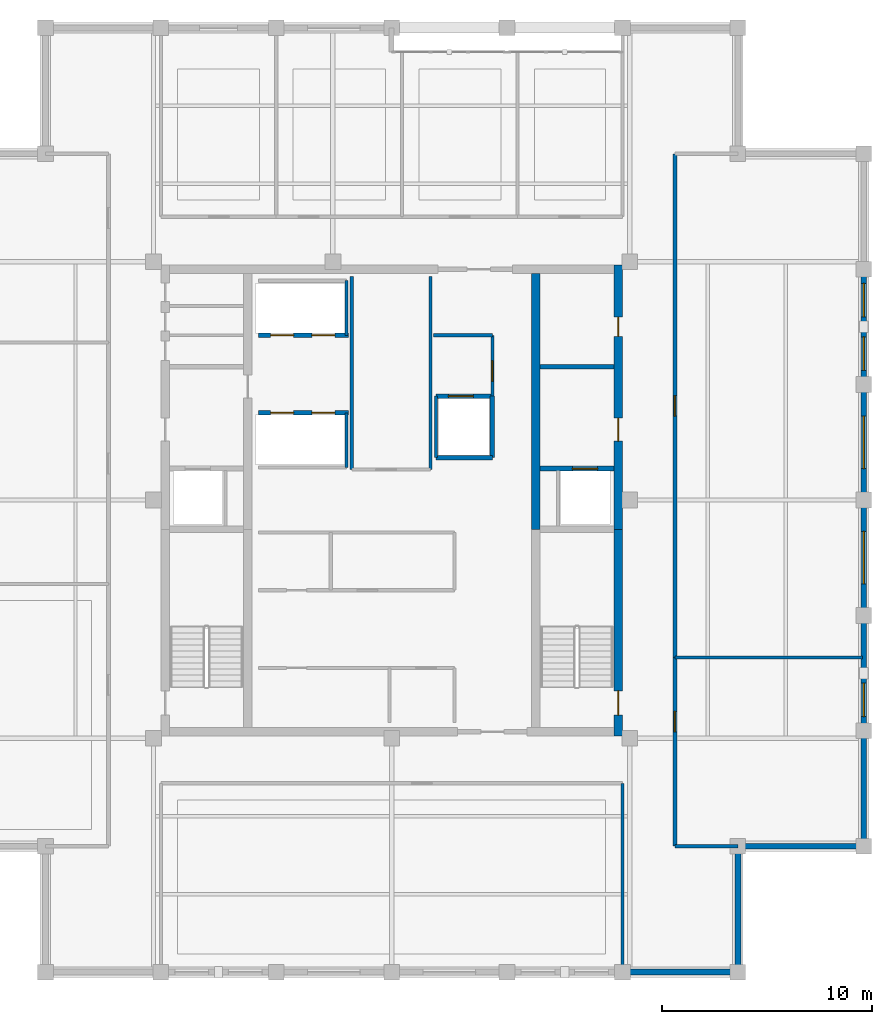
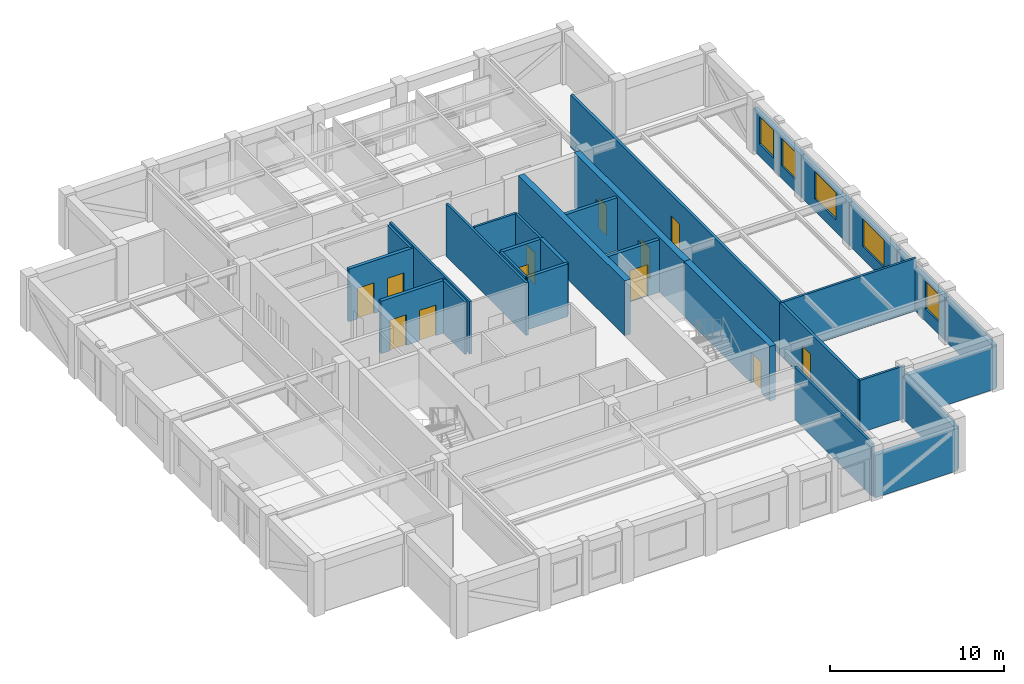
# One storey, part 5 of 9: 30 walls, 12 doors, 5 windows, 17 openings.
"""IFC4 building model written with IfcOpenShell, lengths in metres."""

from ifc_helpers import new_model, si_unit, direction, frame, frame_2d, origin, place, context, subcontext, project, spatial, rectangle, extrude, material, layer, layer_set, type_object, element, fill, save


model = new_model("IFC4")

# Units and contexts
model_context = context("Model", 3, precision=1e-05, world=origin(), true_north=direction((0.0, 1.0)))
body_context = subcontext(model_context, "Body", "Model", "MODEL_VIEW")
ifc_project = project(units=[si_unit("LENGTHUNIT", "METRE"), si_unit("AREAUNIT", "SQUARE_METRE"), si_unit("VOLUMEUNIT", "CUBIC_METRE"), si_unit("PLANEANGLEUNIT", "RADIAN"), si_unit("MASSUNIT", "GRAM", prefix="KILO")], contexts=[model_context])

# Site, building, storey
site_placement = place(None, origin())
site = spatial("IfcSite", under=ifc_project, at=site_placement, CompositionType="ELEMENT")
building_placement = place(site_placement, origin())
building = spatial("IfcBuilding", under=site, at=building_placement, Name="Nhamokura Convention Tower", CompositionType="ELEMENT")
storey_placement = place(building_placement, frame((0.0, 0.0, 273.699951171875)))
storey = spatial("IfcBuildingStorey", under=building, at=storey_placement, Name="L67", CompositionType="ELEMENT", Elevation=273.699951171875)

# Walls
ifc_material_1 = material(Name="Bronze-pigmented precast concrete C45/55", Category="concrete")
ifc_layer_1 = layer(ifc_material_1, 0.280029296875)
ifc_layer_set_1 = layer_set([ifc_layer_1], Name="BronzePrecastSpandrel_280")
wall_type_1 = type_object("IfcWallType", Name="BronzePrecastSpandrel_280", PredefinedType="USERDEFINED", material=ifc_layer_set_1)
for number, where, z_axis, x_axis, name in (
    (1, (48.5, 9.5, 0.0), (0.0, 0.0, 1.0), (-1.0, 0.0, 0.0), "L67 Braced-Bay Precast Wall SOUTH 5"),
    (2, (54.5, 21.0, 0.0), (0.0, 0.0, 1.0), (0.0, -1.0, 0.0), "L67 Braced-Bay Precast Wall EAST 0"),
):
    element("IfcWall", number, at=place(storey_placement, frame(where, z_axis=z_axis, x_axis=x_axis)), inside=storey, type_object=wall_type_1, Name=name, ObjectType="SPANDREL_WALL", PredefinedType="USERDEFINED", context=body_context, shape_type="SweptSolid", body=[
        extrude(rectangle(XDim=5.5, YDim=0.280029296875, at=frame_2d((2.75, 0.0))), origin(), (0.0, 0.0, 1.0), 2.985107421875),
    ])

# Wall, opening, window
wall_1_placement = place(storey_placement, frame((54.5, 26.5, 0.0), z_axis=(0.0, 0.0, 1.0), x_axis=(0.0, -1.0, 0.0)))
wall_1 = element("IfcWall", 3, at=wall_1_placement, inside=storey, type_object=wall_type_1, Name="L67 Masonry-Frame Wall EAST 1", ObjectType="SPANDREL_WALL", PredefinedType="USERDEFINED", context=body_context, shape_type="SweptSolid", body=[
    extrude(rectangle(XDim=5.5, YDim=0.280029296875, at=frame_2d((2.75, 0.0))), origin(), (0.0, 0.0, 1.0), 2.985107421875),
])
opening_1_placement = place(wall_1_placement, frame((3.22509765625, 0.0, 0.85009765625)))
opening_1 = element("IfcOpeningElement", 4, at=opening_1_placement, cuts=wall_1, Name="Opening W-11", PredefinedType="OPENING", context=body_context, shape_type="SweptSolid", body=[
    extrude(rectangle(XDim=1.60009765625, YDim=1.93505859375, at=frame_2d((0.800048828125, 0.967529296875))), frame((0.0, 0.14990234375, 0.0), z_axis=(0.0, -1.0, 0.0), x_axis=(1.0, 0.0, 0.0)), (0.0, 0.0, 1.0), 0.300048828125),
])
ifc_material_2 = material(Name="Solar-control bronze low-E double glass", Category="glass")
window_type_1 = type_object("IfcWindowType", Name="NotchCornerWindow_1600", PartitioningType="SINGLE_PANEL", PredefinedType="WINDOW", material=ifc_material_2)
window_1_placement = place(opening_1_placement, origin())
window_1 = element("IfcWindow", 5, at=window_1_placement, inside=storey, type_object=window_type_1, Name="L67 Facade Window EAST 1-2", OverallHeight=1.93505859375, OverallWidth=1.60009765625, PartitioningType="SINGLE_PANEL", PredefinedType="WINDOW", context=body_context, shape_type="SweptSolid", body=[
    extrude(rectangle(XDim=1.60009765625, YDim=1.93505859375, at=frame_2d((0.800048828125, 0.967529296875))), frame((0.0, 0.030029296875, 0.0), z_axis=(0.0, -1.0, 0.0), x_axis=(1.0, 0.0, 0.0)), (0.0, 0.0, 1.0), 0.06005859375),
])
fill(opening_1, window_1)

wall_2_placement = place(storey_placement, frame((54.5, 32.0, 0.0), z_axis=(0.0, 0.0, 1.0), x_axis=(0.0, -1.0, 0.0)))
wall_2 = element("IfcWall", 6, at=wall_2_placement, inside=storey, type_object=wall_type_1, Name="L67 Masonry-Frame Wall EAST 2", ObjectType="SPANDREL_WALL", PredefinedType="USERDEFINED", context=body_context, shape_type="SweptSolid", body=[
    extrude(rectangle(XDim=5.5, YDim=0.280029296875, at=frame_2d((2.75, 0.0))), origin(), (0.0, 0.0, 1.0), 2.985107421875),
])
opening_2_placement = place(wall_2_placement, frame((1.5, 0.0, 0.85009765625)))
opening_2 = element("IfcOpeningElement", 7, at=opening_2_placement, cuts=wall_2, Name="Opening W-09", PredefinedType="OPENING", context=body_context, shape_type="SweptSolid", body=[
    extrude(rectangle(XDim=2.5, YDim=1.93505859375, at=frame_2d((1.25, 0.967529296875))), frame((0.0, 0.14990234375, 0.0), z_axis=(0.0, -1.0, 0.0), x_axis=(1.0, 0.0, 0.0)), (0.0, 0.0, 1.0), 0.300048828125),
])
ifc_material_3 = material(Name="Solar-control bronze low-E double glass", Category="glass")
window_type_2 = type_object("IfcWindowType", Name="SummitWindow_Z4_2500", PartitioningType="DOUBLE_PANEL_VERTICAL", PredefinedType="WINDOW", material=ifc_material_3)
window_2_placement = place(opening_2_placement, origin())
window_2 = element("IfcWindow", 8, at=window_2_placement, inside=storey, type_object=window_type_2, Name="L67 Facade Window EAST 2", OverallHeight=1.93505859375, OverallWidth=2.5, PartitioningType="SINGLE_PANEL", PredefinedType="WINDOW", context=body_context, shape_type="SweptSolid", body=[
    extrude(rectangle(XDim=2.5, YDim=1.93505859375, at=frame_2d((1.25, 0.967529296875))), frame((0.0, 0.030029296875, 0.0), z_axis=(0.0, -1.0, 0.0), x_axis=(1.0, 0.0, 0.0)), (0.0, 0.0, 1.0), 0.06005859375),
])
fill(opening_2, window_2)

wall_3_placement = place(storey_placement, frame((54.5, 37.5, 0.0), z_axis=(0.0, 0.0, 1.0), x_axis=(0.0, -1.0, 0.0)))
wall_3 = element("IfcWall", 9, at=wall_3_placement, inside=storey, type_object=wall_type_1, Name="L67 Masonry-Frame Wall EAST 3", ObjectType="SPANDREL_WALL", PredefinedType="USERDEFINED", context=body_context, shape_type="SweptSolid", body=[
    extrude(rectangle(XDim=5.5, YDim=0.280029296875, at=frame_2d((2.75, 0.0))), origin(), (0.0, 0.0, 1.0), 2.985107421875),
])
opening_3_placement = place(wall_3_placement, frame((1.5, 0.0, 0.85009765625)))
opening_3 = element("IfcOpeningElement", 10, at=opening_3_placement, cuts=wall_3, Name="Opening W-09", PredefinedType="OPENING", context=body_context, shape_type="SweptSolid", body=[
    extrude(rectangle(XDim=2.5, YDim=1.93505859375, at=frame_2d((1.25, 0.967529296875))), frame((0.0, 0.14990234375, 0.0), z_axis=(0.0, -1.0, 0.0), x_axis=(1.0, 0.0, 0.0)), (0.0, 0.0, 1.0), 0.300048828125),
])
window_3_placement = place(opening_3_placement, origin())
window_3 = element("IfcWindow", 11, at=window_3_placement, inside=storey, type_object=window_type_2, Name="L67 Facade Window EAST 3", OverallHeight=1.93505859375, OverallWidth=2.5, PartitioningType="SINGLE_PANEL", PredefinedType="WINDOW", context=body_context, shape_type="SweptSolid", body=[
    extrude(rectangle(XDim=2.5, YDim=1.93505859375, at=frame_2d((1.25, 0.967529296875))), frame((0.0, 0.030029296875, 0.0), z_axis=(0.0, -1.0, 0.0), x_axis=(1.0, 0.0, 0.0)), (0.0, 0.0, 1.0), 0.06005859375),
])
fill(opening_3, window_3)

# Wall, openings, windows
wall_4_placement = place(storey_placement, frame((54.5, 43.0, 0.0), z_axis=(0.0, 0.0, 1.0), x_axis=(0.0, -1.0, 0.0)))
wall_4 = element("IfcWall", 12, at=wall_4_placement, inside=storey, type_object=wall_type_1, Name="L67 Masonry-Frame Wall EAST 4", ObjectType="SPANDREL_WALL", PredefinedType="USERDEFINED", context=body_context, shape_type="SweptSolid", body=[
    extrude(rectangle(XDim=5.5, YDim=0.280029296875, at=frame_2d((2.75, 0.0))), origin(), (0.0, 0.0, 1.0), 2.985107421875),
])
opening_4_placement = place(wall_4_placement, frame((0.675048828125, 0.0, 0.85009765625)))
opening_4 = element("IfcOpeningElement", 13, at=opening_4_placement, cuts=wall_4, Name="Opening W-11", PredefinedType="OPENING", context=body_context, shape_type="SweptSolid", body=[
    extrude(rectangle(XDim=1.60009765625, YDim=1.93505859375, at=frame_2d((0.800048828125, 0.967529296875))), frame((0.0, 0.14990234375, 0.0), z_axis=(0.0, -1.0, 0.0), x_axis=(1.0, 0.0, 0.0)), (0.0, 0.0, 1.0), 0.300048828125),
])
opening_5_placement = place(wall_4_placement, frame((3.22509765625, 0.0, 0.85009765625)))
opening_5 = element("IfcOpeningElement", 14, at=opening_5_placement, cuts=wall_4, Name="Opening W-11", PredefinedType="OPENING", context=body_context, shape_type="SweptSolid", body=[
    extrude(rectangle(XDim=1.60009765625, YDim=1.93505859375, at=frame_2d((0.800048828125, 0.967529296875))), frame((0.0, 0.14990234375, 0.0), z_axis=(0.0, -1.0, 0.0), x_axis=(1.0, 0.0, 0.0)), (0.0, 0.0, 1.0), 0.300048828125),
])
window_4_placement = place(opening_4_placement, origin())
window_4 = element("IfcWindow", 15, at=window_4_placement, inside=storey, type_object=window_type_1, Name="L67 Facade Window EAST 4-1", OverallHeight=1.93505859375, OverallWidth=1.60009765625, PartitioningType="SINGLE_PANEL", PredefinedType="WINDOW", context=body_context, shape_type="SweptSolid", body=[
    extrude(rectangle(XDim=1.60009765625, YDim=1.93505859375, at=frame_2d((0.800048828125, 0.967529296875))), frame((0.0, 0.030029296875, 0.0), z_axis=(0.0, -1.0, 0.0), x_axis=(1.0, 0.0, 0.0)), (0.0, 0.0, 1.0), 0.06005859375),
])
fill(opening_4, window_4)
window_5_placement = place(opening_5_placement, origin())
window_5 = element("IfcWindow", 16, at=window_5_placement, inside=storey, type_object=window_type_1, Name="L67 Facade Window EAST 4-2", OverallHeight=1.93505859375, OverallWidth=1.60009765625, PartitioningType="SINGLE_PANEL", PredefinedType="WINDOW", context=body_context, shape_type="SweptSolid", body=[
    extrude(rectangle(XDim=1.60009765625, YDim=1.93505859375, at=frame_2d((0.800048828125, 0.967529296875))), frame((0.0, 0.030029296875, 0.0), z_axis=(0.0, -1.0, 0.0), x_axis=(1.0, 0.0, 0.0)), (0.0, 0.0, 1.0), 0.06005859375),
])
fill(opening_5, window_5)

# Walls
for number, where, z_axis, x_axis, name in (
    (17, (48.5, 15.5, 0.0), (0.0, 0.0, 1.0), (0.0, -1.0, 0.0), "L67 Notched Corner Wall SE1"),
    (18, (54.5, 15.5, 0.0), (0.0, 0.0, 1.0), (-1.0, 0.0, 0.0), "L67 Notched Corner Wall SE2"),
):
    element("IfcWall", number, at=place(storey_placement, frame(where, z_axis=z_axis, x_axis=x_axis)), inside=storey, type_object=wall_type_1, Name=name, ObjectType="SPANDREL_WALL", PredefinedType="USERDEFINED", context=body_context, shape_type="SweptSolid", body=[
        extrude(rectangle(XDim=6.0, YDim=0.280029296875, at=frame_2d((3.0, 0.0))), origin(), (0.0, 0.0, 1.0), 2.985107421875),
    ])

# Wall, opening, door
ifc_material_4 = material(Name="Concrete C50/60", Category="concrete")
ifc_layer_2 = layer(ifc_material_4, 0.39990234375)
ifc_layer_set_2 = layer_set([ifc_layer_2], Name="CoreShearWall_400")
wall_type_2 = type_object("IfcWallType", Name="CoreShearWall_400", PredefinedType="SHEAR", material=ifc_layer_set_2)
wall_5_placement = place(storey_placement, frame((42.7900390625, 20.75, 0.0), z_axis=(0.0, 0.0, 1.0), x_axis=(0.0, 1.0, 0.0)))
wall_5 = element("IfcWall", 19, at=wall_5_placement, inside=storey, type_object=wall_type_2, Name="L67 Core Shear Wall CW-ES", PredefinedType="SHEAR", context=body_context, shape_type="SweptSolid", body=[
    extrude(rectangle(XDim=9.85009765625, YDim=0.39990234375, at=frame_2d((4.925048828125, 0.0))), origin(), (0.0, 0.0, 1.0), 3.85009765625),
])
opening_6_placement = place(wall_5_placement, frame((1.0, 0.0, 0.0)))
opening_6 = element("IfcOpeningElement", 20, at=opening_6_placement, cuts=wall_5, Name="Opening D-04", PredefinedType="OPENING", context=body_context, shape_type="SweptSolid", body=[
    extrude(rectangle(XDim=1.14990234375, YDim=2.14990234375, at=frame_2d((0.574951171875, 1.074951171875))), frame((0.0, 0.2099609375, 0.0), z_axis=(0.0, -1.0, 0.0), x_axis=(1.0, 0.0, 0.0)), (0.0, 0.0, 1.0), 0.419921875),
])
ifc_material_5 = material(Name="Fire-rated steel door", Category="steel")
door_type_1 = type_object("IfcDoorType", Name="StairSmokeDoor_1150", OperationType="NOTDEFINED", PredefinedType="DOOR", material=ifc_material_5)
door_1_placement = place(opening_6_placement, origin())
door_1 = element("IfcDoor", 21, at=door_1_placement, inside=storey, type_object=door_type_1, Name="L67 Core Door INT-L67-D-ST02", OperationType="SINGLE_SWING_RIGHT", OverallHeight=2.14990234375, OverallWidth=1.14990234375, PredefinedType="DOOR", context=body_context, shape_type="SweptSolid", body=[
    extrude(rectangle(XDim=1.14990234375, YDim=2.14990234375, at=frame_2d((0.574951171875, 1.074951171875))), frame((0.0, 0.02490234375, 0.0), z_axis=(0.0, -1.0, 0.0), x_axis=(1.0, 0.0, 0.0)), (0.0, 0.0, 1.0), 0.050048828125),
])
fill(opening_6, door_1)

# Wall, openings, doors
wall_6_placement = place(storey_placement, frame((42.7900390625, 30.60009765625, 0.0), z_axis=(0.0, 0.0, 1.0), x_axis=(0.0, 1.0, 0.0)))
wall_6 = element("IfcWall", 22, at=wall_6_placement, inside=storey, type_object=wall_type_2, Name="L67 Core Shear Wall CW-EN", PredefinedType="SHEAR", context=body_context, shape_type="SweptSolid", body=[
    extrude(rectangle(XDim=12.599853515625, YDim=0.39990234375, at=frame_2d((6.2998046875, 0.0))), origin(), (0.0, 0.0, 1.0), 3.85009765625),
])
opening_7_placement = place(wall_6_placement, frame((4.199951171875, 0.0, 0.0)))
opening_7 = element("IfcOpeningElement", 23, at=opening_7_placement, cuts=wall_6, Name="Opening D-05", PredefinedType="OPENING", context=body_context, shape_type="SweptSolid", body=[
    extrude(rectangle(XDim=1.10009765625, YDim=2.14990234375, at=frame_2d((0.550048828125, 1.074951171875))), frame((0.0, 0.2099609375, 0.0), z_axis=(0.0, -1.0, 0.0), x_axis=(1.0, 0.0, 0.0)), (0.0, 0.0, 1.0), 0.419921875),
])
opening_8_placement = place(wall_6_placement, frame((9.199951171875, 0.0, 0.0)))
opening_8 = element("IfcOpeningElement", 24, at=opening_8_placement, cuts=wall_6, Name="Opening D-10", PredefinedType="OPENING", context=body_context, shape_type="SweptSolid", body=[
    extrude(rectangle(XDim=0.919921875, YDim=2.10009765625, at=frame_2d((0.4599609375, 1.050048828125))), frame((0.0, 0.2099609375, 0.0), z_axis=(0.0, -1.0, 0.0), x_axis=(1.0, 0.0, 0.0)), (0.0, 0.0, 1.0), 0.419921875),
])
ifc_material_6 = material(Name="Solid oak hardwood", Category="wood")
door_type_2 = type_object("IfcDoorType", Name="AccessibleWCDoor_920", OperationType="NOTDEFINED", PredefinedType="DOOR", material=ifc_material_6)
door_2_placement = place(opening_8_placement, origin())
door_2 = element("IfcDoor", 25, at=door_2_placement, inside=storey, type_object=door_type_2, Name="L67 Core Door INT-L67-D-UWC", OperationType="SINGLE_SWING_RIGHT", OverallHeight=2.10009765625, OverallWidth=0.919921875, PredefinedType="DOOR", context=body_context, shape_type="SweptSolid", body=[
    extrude(rectangle(XDim=0.919921875, YDim=2.10009765625, at=frame_2d((0.4599609375, 1.050048828125))), frame((0.0, 0.02490234375, 0.0), z_axis=(0.0, -1.0, 0.0), x_axis=(1.0, 0.0, 0.0)), (0.0, 0.0, 1.0), 0.050048828125),
])
fill(opening_8, door_2)
ifc_material_7 = material(Name="Fire-rated steel door", Category="steel")
door_type_3 = type_object("IfcDoorType", Name="FireLobbyDoor_1100", OperationType="NOTDEFINED", PredefinedType="DOOR", material=ifc_material_7)
door_3_placement = place(opening_7_placement, origin())
door_3 = element("IfcDoor", 26, at=door_3_placement, inside=storey, type_object=door_type_3, Name="L67 Core Door INT-L67-D-FFLE", OperationType="SINGLE_SWING_LEFT", OverallHeight=2.14990234375, OverallWidth=1.10009765625, PredefinedType="DOOR", context=body_context, shape_type="SweptSolid", body=[
    extrude(rectangle(XDim=1.10009765625, YDim=2.14990234375, at=frame_2d((0.550048828125, 1.074951171875))), frame((0.0, 0.02490234375, 0.0), z_axis=(0.0, -1.0, 0.0), x_axis=(1.0, 0.0, 0.0)), (0.0, 0.0, 1.0), 0.050048828125),
])
fill(opening_7, door_3)

# Wall
wall_7_placement = place(storey_placement, frame((38.860107421875, 30.60009765625, 0.0), z_axis=(0.0, 0.0, 1.0), x_axis=(0.0, 1.0, 0.0)))
element("IfcWall", 27, at=wall_7_placement, inside=storey, type_object=wall_type_2, Name="L67 Core Shear Wall CW-IEN", PredefinedType="SHEAR", context=body_context, shape_type="SweptSolid", body=[
    extrude(rectangle(XDim=12.199951171875, YDim=0.39990234375, at=frame_2d((6.10009765625, 0.0))), origin(), (0.0, 0.0, 1.0), 3.85009765625),
])

# Wall, opening, door
ifc_material_8 = material(Name="Fire-rated gypsum and masonry partition", Category="masonry")
ifc_layer_3 = layer(ifc_material_8, 0.179931640625)
ifc_layer_set_3 = layer_set([ifc_layer_3], Name="CorridorRatedWall_180")
wall_type_3 = type_object("IfcWallType", Name="CorridorRatedWall_180", PredefinedType="STANDARD", material=ifc_layer_set_3)
wall_8_placement = place(storey_placement, frame((45.5, 15.5, 0.0), z_axis=(0.0, 0.0, 1.0), x_axis=(0.0, 1.0, 0.0)))
wall_8 = element("IfcWall", 28, at=wall_8_placement, inside=storey, type_object=wall_type_3, Name="L67 Wall INT-L67-CW-E00", PredefinedType="STANDARD", context=body_context, shape_type="SweptSolid", body=[
    extrude(rectangle(XDim=9.0, YDim=0.179931640625, at=frame_2d((4.5, 0.0))), origin(), (0.0, 0.0, 1.0), 3.68505859375),
])
opening_9_placement = place(wall_8_placement, frame((5.449951171875, 0.0, 0.0)))
opening_9 = element("IfcOpeningElement", 29, at=opening_9_placement, cuts=wall_8, Name="Opening D-08", PredefinedType="OPENING", context=body_context, shape_type="SweptSolid", body=[
    extrude(rectangle(XDim=0.97998046875, YDim=2.199951171875, at=frame_2d((0.489990234375, 1.10009765625))), frame((0.0, 0.099853515625, 0.0), z_axis=(0.0, -1.0, 0.0), x_axis=(1.0, 0.0, 0.0)), (0.0, 0.0, 1.0), 0.199951171875),
])
ifc_material_9 = material(Name="Solid oak hardwood", Category="wood")
door_type_4 = type_object("IfcDoorType", Name="OfficeEntryDoor_980", OperationType="NOTDEFINED", PredefinedType="DOOR", material=ifc_material_9)
door_4_placement = place(opening_9_placement, origin())
door_4 = element("IfcDoor", 30, at=door_4_placement, inside=storey, type_object=door_type_4, Name="L67 Press Room E01 Door", OperationType="SINGLE_SWING_LEFT", OverallHeight=2.199951171875, OverallWidth=0.97998046875, PredefinedType="DOOR", context=body_context, shape_type="SweptSolid", body=[
    extrude(rectangle(XDim=0.97998046875, YDim=2.199951171875, at=frame_2d((0.489990234375, 1.10009765625))), frame((0.0, 0.02490234375, 0.0), z_axis=(0.0, -1.0, 0.0), x_axis=(1.0, 0.0, 0.0)), (0.0, 0.0, 1.0), 0.050048828125),
])
fill(opening_9, door_4)

wall_9_placement = place(storey_placement, frame((45.5, 24.5, 0.0), z_axis=(0.0, 0.0, 1.0), x_axis=(0.0, 1.0, 0.0)))
wall_9 = element("IfcWall", 31, at=wall_9_placement, inside=storey, type_object=wall_type_3, Name="L67 Wall INT-L67-CW-E01", PredefinedType="STANDARD", context=body_context, shape_type="SweptSolid", body=[
    extrude(rectangle(XDim=24.0, YDim=0.179931640625, at=frame_2d((12.0, 0.0))), origin(), (0.0, 0.0, 1.0), 3.68505859375),
])
opening_10_placement = place(wall_9_placement, frame((11.5, 0.0, 0.0)))
opening_10 = element("IfcOpeningElement", 32, at=opening_10_placement, cuts=wall_9, Name="Opening D-08", PredefinedType="OPENING", context=body_context, shape_type="SweptSolid", body=[
    extrude(rectangle(XDim=0.97998046875, YDim=2.199951171875, at=frame_2d((0.489990234375, 1.10009765625))), frame((0.0, 0.099853515625, 0.0), z_axis=(0.0, -1.0, 0.0), x_axis=(1.0, 0.0, 0.0)), (0.0, 0.0, 1.0), 0.199951171875),
])
door_5_placement = place(opening_10_placement, origin())
door_5 = element("IfcDoor", 33, at=door_5_placement, inside=storey, type_object=door_type_4, Name="L67 Private Office E02 Door", OperationType="SINGLE_SWING_RIGHT", OverallHeight=2.199951171875, OverallWidth=0.97998046875, PredefinedType="DOOR", context=body_context, shape_type="SweptSolid", body=[
    extrude(rectangle(XDim=0.97998046875, YDim=2.199951171875, at=frame_2d((0.489990234375, 1.10009765625))), frame((0.0, 0.02490234375, 0.0), z_axis=(0.0, -1.0, 0.0), x_axis=(1.0, 0.0, 0.0)), (0.0, 0.0, 1.0), 0.050048828125),
])
fill(opening_10, door_5)

ifc_material_10 = material(Name="Autoclaved concrete blockwork", Category="masonry")
ifc_layer_4 = layer(ifc_material_10, 0.219970703125)
ifc_layer_set_4 = layer_set([ifc_layer_4], Name="FireLobbyWall_220")
wall_type_4 = type_object("IfcWallType", Name="FireLobbyWall_220", PredefinedType="STANDARD", material=ifc_layer_set_4)
wall_10_placement = place(storey_placement, frame((39.06005859375, 33.5, 0.0), z_axis=(0.0, 0.0, 1.0), x_axis=(1.0, 0.0, 0.0)))
wall_10 = element("IfcWall", 34, at=wall_10_placement, inside=storey, type_object=wall_type_4, Name="L67 Wall INT-L67-FFE-S", PredefinedType="STANDARD", context=body_context, shape_type="SweptSolid", body=[
    extrude(rectangle(XDim=3.530029296875, YDim=0.219970703125, at=frame_2d((1.76513671875, 0.0))), origin(), (0.0, 0.0, 1.0), 3.68505859375),
])
opening_11_placement = place(wall_10_placement, frame((1.550048828125, 0.0, 0.0)))
opening_11 = element("IfcOpeningElement", 35, at=opening_11_placement, cuts=wall_10, Name="Opening LD-02", PredefinedType="OPENING", context=body_context, shape_type="SweptSolid", body=[
    extrude(rectangle(XDim=1.199951171875, YDim=2.199951171875, at=frame_2d((0.60009765625, 1.10009765625))), frame((0.0, 0.119873046875, 0.0), z_axis=(0.0, -1.0, 0.0), x_axis=(1.0, 0.0, 0.0)), (0.0, 0.0, 1.0), 0.239990234375),
])
ifc_material_11 = material(Name="Anodised bronze stainless steel", Category="steel")
door_type_5 = type_object("IfcDoorType", Name="LiftLandingDoor_FireService", OperationType="DOUBLE_DOOR_SLIDING", PredefinedType="DOOR", material=ifc_material_11)
door_6_placement = place(opening_11_placement, origin())
door_6 = element("IfcDoor", 36, at=door_6_placement, inside=storey, type_object=door_type_5, Name="L67 Firefighting Lift LF-02 Door", OperationType="DOUBLE_DOOR_SLIDING", OverallHeight=2.199951171875, OverallWidth=1.199951171875, PredefinedType="DOOR", context=body_context, shape_type="SweptSolid", body=[
    extrude(rectangle(XDim=1.199951171875, YDim=2.199951171875, at=frame_2d((0.60009765625, 1.10009765625))), frame((0.0, 0.02490234375, 0.0), z_axis=(0.0, -1.0, 0.0), x_axis=(1.0, 0.0, 0.0)), (0.0, 0.0, 1.0), 0.050048828125),
])
fill(opening_11, door_6)

# Wall
wall_11_placement = place(storey_placement, frame((39.06005859375, 38.35009765625, 0.0), z_axis=(0.0, 0.0, 1.0), x_axis=(1.0, 0.0, 0.0)))
element("IfcWall", 37, at=wall_11_placement, inside=storey, type_object=wall_type_4, Name="L67 Wall INT-L67-FFE-N", PredefinedType="STANDARD", context=body_context, shape_type="SweptSolid", body=[
    extrude(rectangle(XDim=3.530029296875, YDim=0.219970703125, at=frame_2d((1.76513671875, 0.0))), origin(), (0.0, 0.0, 1.0), 3.68505859375),
])

# Wall, openings, doors
wall_12_placement = place(storey_placement, frame((25.64990234375, 36.14990234375, 0.0), z_axis=(0.0, 0.0, 1.0), x_axis=(1.0, 0.0, 0.0)))
wall_12 = element("IfcWall", 38, at=wall_12_placement, inside=storey, type_object=wall_type_4, Name="L67 Wall INT-L67-B3S", PredefinedType="STANDARD", context=body_context, shape_type="SweptSolid", body=[
    extrude(rectangle(XDim=4.300048828125, YDim=0.219970703125, at=frame_2d((2.14990234375, 0.0))), origin(), (0.0, 0.0, 1.0), 3.68505859375),
])
opening_12_placement = place(wall_12_placement, frame((0.580078125, 0.0, 0.0)))
opening_12 = element("IfcOpeningElement", 39, at=opening_12_placement, cuts=wall_12, Name="Opening LD-01", PredefinedType="OPENING", context=body_context, shape_type="SweptSolid", body=[
    extrude(rectangle(XDim=1.10009765625, YDim=2.14990234375, at=frame_2d((0.550048828125, 1.074951171875))), frame((0.0, 0.119873046875, 0.0), z_axis=(0.0, -1.0, 0.0), x_axis=(1.0, 0.0, 0.0)), (0.0, 0.0, 1.0), 0.239990234375),
])
opening_13_placement = place(wall_12_placement, frame((2.550048828125, 0.0, 0.0)))
opening_13 = element("IfcOpeningElement", 40, at=opening_13_placement, cuts=wall_12, Name="Opening LD-01", PredefinedType="OPENING", context=body_context, shape_type="SweptSolid", body=[
    extrude(rectangle(XDim=1.10009765625, YDim=2.14990234375, at=frame_2d((0.550048828125, 1.074951171875))), frame((0.0, 0.119873046875, 0.0), z_axis=(0.0, -1.0, 0.0), x_axis=(1.0, 0.0, 0.0)), (0.0, 0.0, 1.0), 0.239990234375),
])
ifc_material_12 = material(Name="Anodised bronze stainless steel", Category="steel")
door_type_6 = type_object("IfcDoorType", Name="LiftLandingDoor_Passenger", OperationType="DOUBLE_DOOR_SLIDING", PredefinedType="DOOR", material=ifc_material_12)
door_7_placement = place(opening_12_placement, origin())
door_7 = element("IfcDoor", 41, at=door_7_placement, inside=storey, type_object=door_type_6, Name="L67 Lift LP-09 Door", OperationType="DOUBLE_DOOR_SLIDING", OverallHeight=2.14990234375, OverallWidth=1.10009765625, PredefinedType="DOOR", context=body_context, shape_type="SweptSolid", body=[
    extrude(rectangle(XDim=1.10009765625, YDim=2.14990234375, at=frame_2d((0.550048828125, 1.074951171875))), frame((0.0, 0.02490234375, 0.0), z_axis=(0.0, -1.0, 0.0), x_axis=(1.0, 0.0, 0.0)), (0.0, 0.0, 1.0), 0.050048828125),
])
fill(opening_12, door_7)
door_8_placement = place(opening_13_placement, origin())
door_8 = element("IfcDoor", 42, at=door_8_placement, inside=storey, type_object=door_type_6, Name="L67 Lift LP-10 Door", OperationType="DOUBLE_DOOR_SLIDING", OverallHeight=2.14990234375, OverallWidth=1.10009765625, PredefinedType="DOOR", context=body_context, shape_type="SweptSolid", body=[
    extrude(rectangle(XDim=1.10009765625, YDim=2.14990234375, at=frame_2d((0.550048828125, 1.074951171875))), frame((0.0, 0.02490234375, 0.0), z_axis=(0.0, -1.0, 0.0), x_axis=(1.0, 0.0, 0.0)), (0.0, 0.0, 1.0), 0.050048828125),
])
fill(opening_13, door_8)

wall_13_placement = place(storey_placement, frame((25.64990234375, 39.85009765625, 0.0), z_axis=(0.0, 0.0, 1.0), x_axis=(1.0, 0.0, 0.0)))
wall_13 = element("IfcWall", 43, at=wall_13_placement, inside=storey, type_object=wall_type_4, Name="L67 Wall INT-L67-B3N", PredefinedType="STANDARD", context=body_context, shape_type="SweptSolid", body=[
    extrude(rectangle(XDim=4.300048828125, YDim=0.219970703125, at=frame_2d((2.14990234375, 0.0))), origin(), (0.0, 0.0, 1.0), 3.68505859375),
])
opening_14_placement = place(wall_13_placement, frame((0.580078125, 0.0, 0.0)))
opening_14 = element("IfcOpeningElement", 44, at=opening_14_placement, cuts=wall_13, Name="Opening LD-01", PredefinedType="OPENING", context=body_context, shape_type="SweptSolid", body=[
    extrude(rectangle(XDim=1.10009765625, YDim=2.14990234375, at=frame_2d((0.550048828125, 1.074951171875))), frame((0.0, 0.119873046875, 0.0), z_axis=(0.0, -1.0, 0.0), x_axis=(1.0, 0.0, 0.0)), (0.0, 0.0, 1.0), 0.239990234375),
])
opening_15_placement = place(wall_13_placement, frame((2.550048828125, 0.0, 0.0)))
opening_15 = element("IfcOpeningElement", 45, at=opening_15_placement, cuts=wall_13, Name="Opening LD-01", PredefinedType="OPENING", context=body_context, shape_type="SweptSolid", body=[
    extrude(rectangle(XDim=1.10009765625, YDim=2.14990234375, at=frame_2d((0.550048828125, 1.074951171875))), frame((0.0, 0.119873046875, 0.0), z_axis=(0.0, -1.0, 0.0), x_axis=(1.0, 0.0, 0.0)), (0.0, 0.0, 1.0), 0.239990234375),
])
door_9_placement = place(opening_14_placement, origin())
door_9 = element("IfcDoor", 46, at=door_9_placement, inside=storey, type_object=door_type_6, Name="L67 Lift LP-11 Door", OperationType="DOUBLE_DOOR_SLIDING", OverallHeight=2.14990234375, OverallWidth=1.10009765625, PredefinedType="DOOR", context=body_context, shape_type="SweptSolid", body=[
    extrude(rectangle(XDim=1.10009765625, YDim=2.14990234375, at=frame_2d((0.550048828125, 1.074951171875))), frame((0.0, 0.02490234375, 0.0), z_axis=(0.0, -1.0, 0.0), x_axis=(1.0, 0.0, 0.0)), (0.0, 0.0, 1.0), 0.050048828125),
])
fill(opening_14, door_9)
door_10_placement = place(opening_15_placement, origin())
door_10 = element("IfcDoor", 47, at=door_10_placement, inside=storey, type_object=door_type_6, Name="L67 Lift LP-12 Door", OperationType="DOUBLE_DOOR_SLIDING", OverallHeight=2.14990234375, OverallWidth=1.10009765625, PredefinedType="DOOR", context=body_context, shape_type="SweptSolid", body=[
    extrude(rectangle(XDim=1.10009765625, YDim=2.14990234375, at=frame_2d((0.550048828125, 1.074951171875))), frame((0.0, 0.02490234375, 0.0), z_axis=(0.0, -1.0, 0.0), x_axis=(1.0, 0.0, 0.0)), (0.0, 0.0, 1.0), 0.050048828125),
])
fill(opening_15, door_10)

# Wall, opening, door
wall_14_placement = place(storey_placement, frame((34.1201171875, 36.949951171875, 0.0), z_axis=(0.0, 0.0, 1.0), x_axis=(1.0, 0.0, 0.0)))
wall_14 = element("IfcWall", 48, at=wall_14_placement, inside=storey, type_object=wall_type_4, Name="L67 Wall INT-L67-LSN", PredefinedType="STANDARD", context=body_context, shape_type="SweptSolid", body=[
    extrude(rectangle(XDim=2.679931640625, YDim=0.219970703125, at=frame_2d((1.33984375, 0.0))), origin(), (0.0, 0.0, 1.0), 3.68505859375),
])
opening_16_placement = place(wall_14_placement, frame((0.580078125, 0.0, 0.0)))
opening_16 = element("IfcOpeningElement", 49, at=opening_16_placement, cuts=wall_14, Name="Opening LD-02", PredefinedType="OPENING", context=body_context, shape_type="SweptSolid", body=[
    extrude(rectangle(XDim=1.199951171875, YDim=2.199951171875, at=frame_2d((0.60009765625, 1.10009765625))), frame((0.0, 0.119873046875, 0.0), z_axis=(0.0, -1.0, 0.0), x_axis=(1.0, 0.0, 0.0)), (0.0, 0.0, 1.0), 0.239990234375),
])
door_11_placement = place(opening_16_placement, origin())
door_11 = element("IfcDoor", 50, at=door_11_placement, inside=storey, type_object=door_type_5, Name="L67 Service Lift LS-01 Door", OperationType="DOUBLE_DOOR_SLIDING", OverallHeight=2.199951171875, OverallWidth=1.199951171875, PredefinedType="DOOR", context=body_context, shape_type="SweptSolid", body=[
    extrude(rectangle(XDim=1.199951171875, YDim=2.199951171875, at=frame_2d((0.60009765625, 1.10009765625))), frame((0.0, 0.02490234375, 0.0), z_axis=(0.0, -1.0, 0.0), x_axis=(1.0, 0.0, 0.0)), (0.0, 0.0, 1.0), 0.050048828125),
])
fill(opening_16, door_11)

# Walls
wall_15_placement = place(storey_placement, frame((36.800048828125, 34.02001953125, 0.0), z_axis=(0.0, 0.0, 1.0), x_axis=(0.0, 1.0, 0.0)))
element("IfcWall", 51, at=wall_15_placement, inside=storey, type_object=wall_type_4, Name="L67 Wall INT-L67-LSE", PredefinedType="STANDARD", context=body_context, shape_type="SweptSolid", body=[
    extrude(rectangle(XDim=2.929931640625, YDim=0.219970703125, at=frame_2d((1.46484375, 0.0))), origin(), (0.0, 0.0, 1.0), 3.68505859375),
])
wall_16_placement = place(storey_placement, frame((34.1201171875, 34.02001953125, 0.0), z_axis=(0.0, 0.0, 1.0), x_axis=(1.0, 0.0, 0.0)))
element("IfcWall", 52, at=wall_16_placement, inside=storey, type_object=wall_type_4, Name="L67 Wall INT-L67-LSS", PredefinedType="STANDARD", context=body_context, shape_type="SweptSolid", body=[
    extrude(rectangle(XDim=2.679931640625, YDim=0.219970703125, at=frame_2d((1.33984375, 0.0))), origin(), (0.0, 0.0, 1.0), 3.68505859375),
])
ifc_material_13 = material(Name="Acoustic gypsum stud partition", Category="masonry")
ifc_layer_5 = layer(ifc_material_13, 0.14990234375)
ifc_layer_set_5 = layer_set([ifc_layer_5], Name="InteriorPartition_150")
wall_type_5 = type_object("IfcWallType", Name="InteriorPartition_150", PredefinedType="STANDARD", material=ifc_layer_set_5)
wall_17_placement = place(storey_placement, frame((34.0, 39.85009765625, 0.0), z_axis=(0.0, 0.0, 1.0), x_axis=(1.0, 0.0, 0.0)))
element("IfcWall", 53, at=wall_17_placement, inside=storey, type_object=wall_type_5, Name="L67 Wall INT-L67-NE-TELN", PredefinedType="STANDARD", context=body_context, shape_type="SweptSolid", body=[
    extrude(rectangle(XDim=2.800048828125, YDim=0.14990234375, at=frame_2d((1.39990234375, 0.0))), origin(), (0.0, 0.0, 1.0), 3.68505859375),
])

# Wall, opening, door
wall_18_placement = place(storey_placement, frame((36.800048828125, 36.949951171875, 0.0), z_axis=(0.0, 0.0, 1.0), x_axis=(0.0, 1.0, 0.0)))
wall_18 = element("IfcWall", 54, at=wall_18_placement, inside=storey, type_object=wall_type_5, Name="L67 Wall INT-L67-NE-TELE", PredefinedType="STANDARD", context=body_context, shape_type="SweptSolid", body=[
    extrude(rectangle(XDim=2.900146484375, YDim=0.14990234375, at=frame_2d((1.4501953125, 0.0))), origin(), (0.0, 0.0, 1.0), 3.68505859375),
])
opening_17_placement = place(wall_18_placement, frame((0.699951171875, 0.0, 0.0)))
opening_17 = element("IfcOpeningElement", 55, at=opening_17_placement, cuts=wall_18, Name="Opening D-08", PredefinedType="OPENING", context=body_context, shape_type="SweptSolid", body=[
    extrude(rectangle(XDim=0.97998046875, YDim=2.199951171875, at=frame_2d((0.489990234375, 1.10009765625))), frame((0.0, 0.0849609375, 0.0), z_axis=(0.0, -1.0, 0.0), x_axis=(1.0, 0.0, 0.0)), (0.0, 0.0, 1.0), 0.169921875),
])
door_12_placement = place(opening_17_placement, origin())
door_12 = element("IfcDoor", 56, at=door_12_placement, inside=storey, type_object=door_type_4, Name="L67 Core Telecom Door", OperationType="SINGLE_SWING_LEFT", OverallHeight=2.199951171875, OverallWidth=0.97998046875, PredefinedType="DOOR", context=body_context, shape_type="SweptSolid", body=[
    extrude(rectangle(XDim=0.97998046875, YDim=2.199951171875, at=frame_2d((0.489990234375, 1.10009765625))), frame((0.0, 0.02490234375, 0.0), z_axis=(0.0, -1.0, 0.0), x_axis=(1.0, 0.0, 0.0)), (0.0, 0.0, 1.0), 0.050048828125),
])
fill(opening_17, door_12)

# Walls
for number, where, z_axis, x_axis, name in (
    (57, (29.85009765625, 33.550048828125, 0.0), (0.0, 0.0, 1.0), (0.0, 1.0, 0.0), "L67 Wall INT-L67-B3A-E"),
    (58, (29.85009765625, 39.85009765625, 0.0), (0.0, 0.0, 1.0), (0.0, 1.0, 0.0), "L67 Wall INT-L67-B3B-E"),
):
    element("IfcWall", number, at=place(storey_placement, frame(where, z_axis=z_axis, x_axis=x_axis)), inside=storey, type_object=wall_type_5, Name=name, PredefinedType="STANDARD", context=body_context, shape_type="SweptSolid", body=[
        extrude(rectangle(XDim=2.599853515625, YDim=0.14990234375, at=frame_2d((1.2998046875, 0.0))), origin(), (0.0, 0.0, 1.0), 3.68505859375),
    ])
for number, where, z_axis, x_axis, name in (
    (59, (30.10009765625, 33.449951171875, 0.0), (0.0, 0.0, 1.0), (0.0, 1.0, 0.0), "L67 Wall INT-L67-ST03W"),
    (60, (33.85009765625, 33.449951171875, 0.0), (0.0, 0.0, 1.0), (0.0, 1.0, 0.0), "L67 Wall INT-L67-ST03E"),
):
    element("IfcWall", number, at=place(storey_placement, frame(where, z_axis=z_axis, x_axis=x_axis)), inside=storey, type_object=wall_type_5, Name=name, PredefinedType="STANDARD", context=body_context, shape_type="SweptSolid", body=[
        extrude(rectangle(XDim=9.199951171875, YDim=0.14990234375, at=frame_2d((4.60009765625, 0.0))), origin(), (0.0, 0.0, 1.0), 3.68505859375),
    ])
wall_19_placement = place(storey_placement, frame((34.1201171875, 34.02001953125, 0.0), z_axis=(0.0, 0.0, 1.0), x_axis=(0.0, 1.0, 0.0)))
element("IfcWall", 61, at=wall_19_placement, inside=storey, type_object=wall_type_5, Name="L67 Wall INT-L67-LSW", PredefinedType="STANDARD", context=body_context, shape_type="SweptSolid", body=[
    extrude(rectangle(XDim=2.929931640625, YDim=0.14990234375, at=frame_2d((1.46484375, 0.0))), origin(), (0.0, 0.0, 1.0), 3.68505859375),
])
for number, where, z_axis, x_axis, name in (
    (62, (43.0, 9.56005859375, 0.0), (0.0, 0.0, 1.0), (0.0, 1.0, 0.0), "L67 Wall INT-L67-RWR-S"),
    (63, (45.5, 24.5, 0.0), (0.0, 0.0, 1.0), (1.0, 0.0, 0.0), "L67 Wall INT-L67-RW-E01"),
):
    element("IfcWall", number, at=place(storey_placement, frame(where, z_axis=z_axis, x_axis=x_axis)), inside=storey, type_object=wall_type_5, Name=name, PredefinedType="STANDARD", context=body_context, shape_type="SweptSolid", body=[
        extrude(rectangle(XDim=8.93994140625, YDim=0.14990234375, at=frame_2d((4.469970703125, 0.0))), origin(), (0.0, 0.0, 1.0), 3.68505859375),
    ])
wall_20_placement = place(storey_placement, frame((45.5, 15.5, 0.0), z_axis=(0.0, 0.0, 1.0), x_axis=(1.0, 0.0, 0.0)))
element("IfcWall", 64, at=wall_20_placement, inside=storey, type_object=wall_type_5, Name="L67 Wall INT-L67-VSTP-ES", PredefinedType="STANDARD", context=body_context, shape_type="SweptSolid", body=[
    extrude(rectangle(XDim=3.0, YDim=0.14990234375, at=frame_2d((1.5, 0.0))), origin(), (0.0, 0.0, 1.0), 3.68505859375),
])

save(model, "model.ifc")
